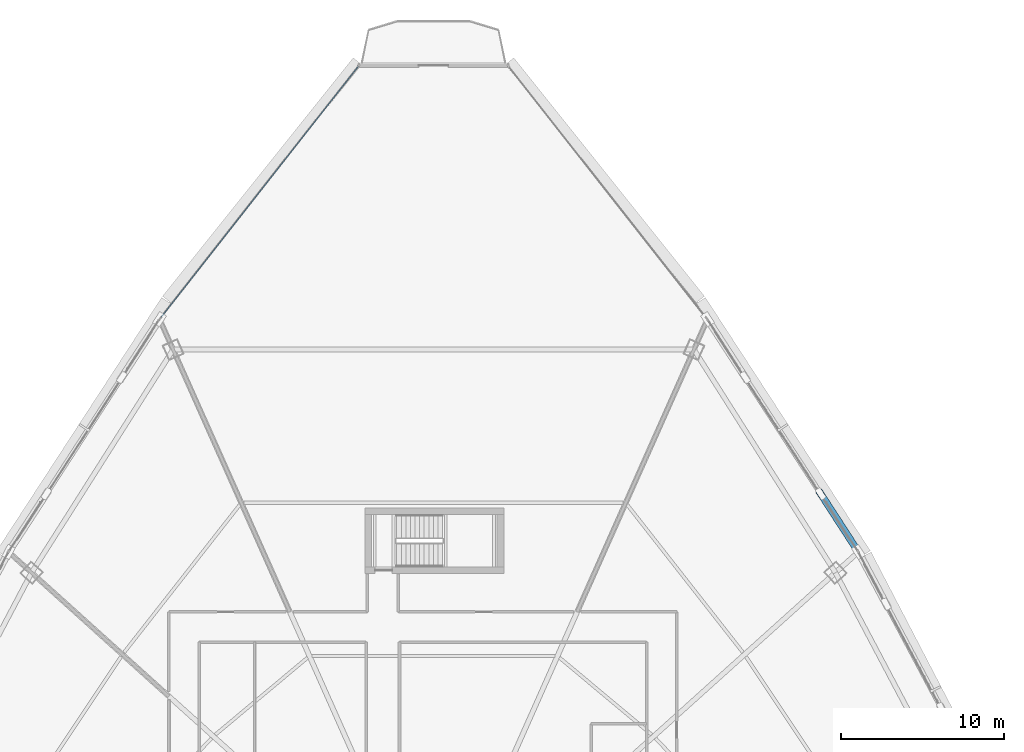
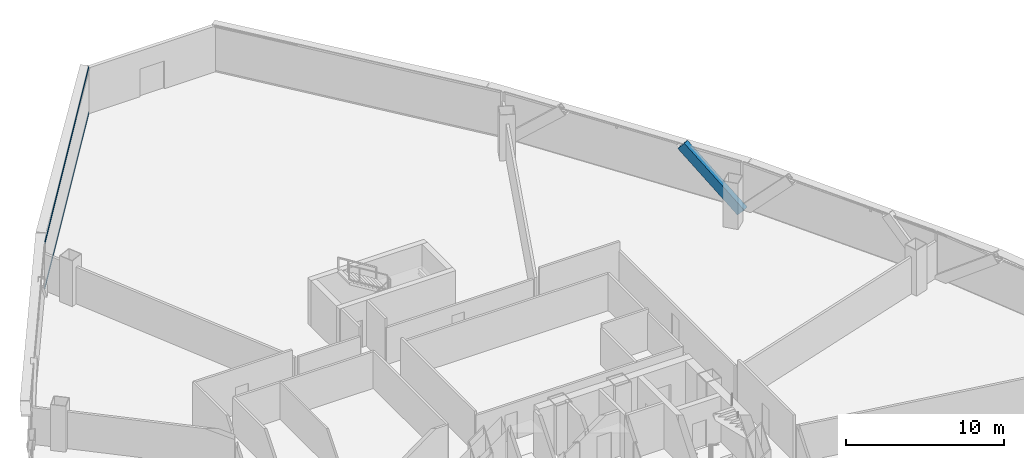
# One storey, part 25 of 39: 3 members, 1 element without a shape of its own.
"""IFC4 building model written with IfcOpenShell, lengths in metres."""

from ifc_helpers import new_model, si_unit, direction, frame, origin, origin_2d, place, context, subcontext, project, spatial, hollow_rectangle, extrude, source, transform, mapped, material, layer, layer_set, material_profile, profile_set, type_object, element, aggregate, save


model = new_model("IFC4")

# Units and contexts
model_context = context("Model", 3, precision=1e-05, world=origin(), true_north=direction((0.0, 1.0)))
body_context = subcontext(model_context, "Body", "Model", "MODEL_VIEW")
ifc_project = project(units=[si_unit("LENGTHUNIT", "METRE"), si_unit("AREAUNIT", "SQUARE_METRE"), si_unit("VOLUMEUNIT", "CUBIC_METRE"), si_unit("PLANEANGLEUNIT", "RADIAN"), si_unit("MASSUNIT", "GRAM", prefix="KILO"), si_unit("THERMODYNAMICTEMPERATUREUNIT", "KELVIN"), si_unit("POWERUNIT", "WATT")], contexts=[model_context])

# Site, building, storey
site_placement = place(None, origin())
site = spatial("IfcSite", under=ifc_project, at=site_placement, CompositionType="ELEMENT")
building_placement = place(site_placement, origin())
building = spatial("IfcBuilding", under=site, at=building_placement, Name="Yunzhuo Pagoda Commons", CompositionType="ELEMENT")
storey_placement = place(building_placement, frame((0.0, 0.0, 96.3798828125)))
storey = spatial("IfcBuildingStorey", under=building, at=storey_placement, Name="L24", CompositionType="ELEMENT", Elevation=96.3798828125)

# Member
ifc_material_1 = material(Name="Structural steel Q420B", Category="steel")
ifc_material_profile_1 = material_profile(ifc_material_1, hollow_rectangle(XDim=0.419921875, YDim=0.719970703125, WallThickness=0.028076171875, at=origin_2d()), Name="Structural steel Q420B")
ifc_profile_set_1 = profile_set([ifc_material_profile_1], Name="Structural steel Q420B")
member_type_1 = type_object("IfcMemberType", Name="M-DL1 Brace BOX 720x420x28", PredefinedType="BRACE", material=ifc_profile_set_1)
shared_shape_1 = source(origin(), body_context, "Body", "SweptSolid", [
    extrude(hollow_rectangle(XDim=0.419921875, YDim=0.719970703125, WallThickness=0.028076171875, at=origin_2d()), origin(), (0.0, 0.0, 1.0), 5.697265625),
])
member_1_placement = place(storey_placement, frame((74.0107421875, 57.1201171875, -0.259765625), z_axis=(-0.405464823843, 0.625123742361, 0.666947211826), x_axis=(-0.838974060503, -0.544171412152, 0.0)))
element("IfcMember", 1, at=member_1_placement, inside=storey, type_object=member_type_1, Name="L24 facade diamond brace F2.3L", PredefinedType="BRACE", context=body_context, shape_type="MappedRepresentation", body=[
    mapped(shared_shape_1, transform((0.0, 0.0, 0.0), scale=1.0)),
])

# Curtain wall, members
ifc_material_2 = material(Name="Anodized aluminium 6063-T6", Category="aluminium")
ifc_layer = layer(ifc_material_2, 0.1650390625)
ifc_layer_set = layer_set([ifc_layer], Name="Anodized aluminium 6063-T6")
curtain_wall_type = type_object("IfcCurtainWallType", Name="CW-LOW Low-Zone Ribbon Curtain Wall", PredefinedType="NOTDEFINED", material=ifc_layer_set)
curtain_wall_placement = place(storey_placement, origin())
curtain_wall = element("IfcCurtainWall", 2, at=curtain_wall_placement, inside=storey, type_object=curtain_wall_type, Name="L24 curtain wall CW-L24-F3B1", PredefinedType="NOTDEFINED")
ifc_material_profile_2 = material_profile(ifc_material_2, hollow_rectangle(XDim=0.06005859375, YDim=0.139892578125, WallThickness=0.00341796875, at=origin_2d()), Name="Anodized aluminium 6063-T6")
ifc_profile_set_2 = profile_set([ifc_material_profile_2], Name="Anodized aluminium 6063-T6")
member_type_2 = type_object("IfcMemberType", Name="CW-LOW-T Transom RHS 140x60x3.5", PredefinedType="USERDEFINED", material=ifc_profile_set_2)
shared_shape_2 = source(origin(), body_context, "Body", "SweptSolid", [
    extrude(hollow_rectangle(XDim=0.06005859375, YDim=0.139892578125, WallThickness=0.00341796875, at=origin_2d()), origin(), (0.0, 0.0, 1.0), 19.558349609375),
])
member_2_placement = place(storey_placement, frame((43.40234375, 86.853759765625, 0.030029296875), z_axis=(-0.617957159447, -0.786211771146, 0.0), x_axis=(0.786211771146, -0.617957159447, 0.0)))
member_2 = element("IfcMember", 3, at=member_2_placement, type_object=member_type_2, Name="CW transom 1.1", ObjectType="TRANSOM", PredefinedType="USERDEFINED", context=body_context, shape_type="MappedRepresentation", body=[
    mapped(shared_shape_2, transform((0.0, 0.0, 0.0), scale=1.0)),
])
member_3_placement = place(storey_placement, frame((43.40234375, 86.853759765625, 3.510009765625), z_axis=(-0.617957159447, -0.786211771146, 0.0), x_axis=(0.786211771146, -0.617957159447, 0.0)))
member_3 = element("IfcMember", 4, at=member_3_placement, type_object=member_type_2, Name="CW transom 1.2", ObjectType="TRANSOM", PredefinedType="USERDEFINED", context=body_context, shape_type="MappedRepresentation", body=[
    mapped(shared_shape_2, transform((0.0, 0.0, 0.0), scale=1.0)),
])
aggregate(curtain_wall, [member_2, member_3])

save(model, "model.ifc")
